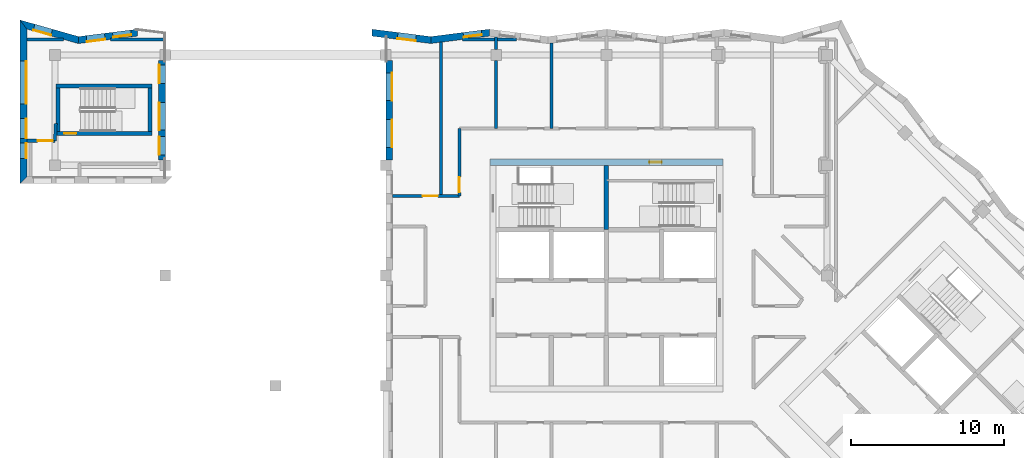
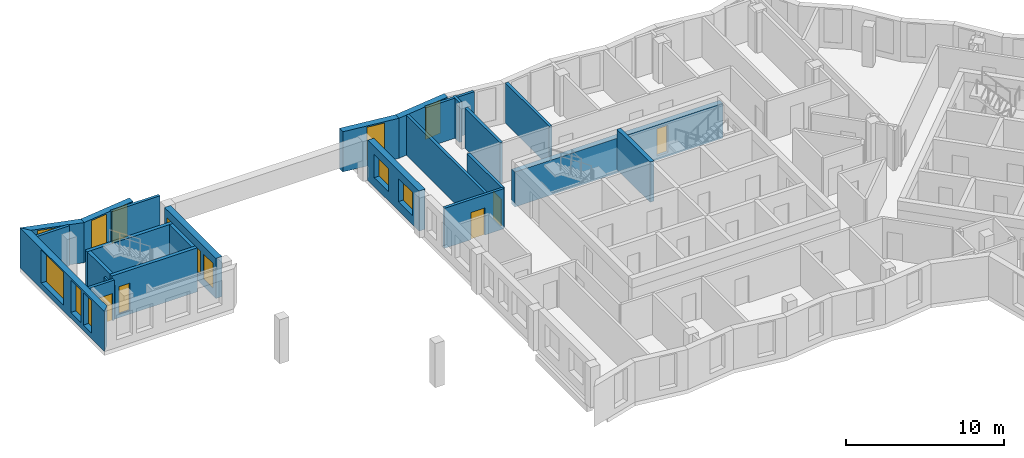
# One storey, part 5 of 13: 24 walls, 13 windows, 5 doors, 18 openings.
"""IFC4 building model written with IfcOpenShell, lengths in metres."""

from ifc_helpers import new_model, si_unit, direction, frame, frame_2d, origin, place, context, subcontext, project, spatial, polyline, rectangle, outline, extrude, material, layer, layer_set, type_object, element, fill, save


model = new_model("IFC4")

# Units and contexts
model_context = context("Model", 3, precision=1e-05, world=origin(), true_north=direction((0.0, 1.0)))
body_context = subcontext(model_context, "Body", "Model", "MODEL_VIEW")
ifc_project = project(units=[si_unit("LENGTHUNIT", "METRE"), si_unit("AREAUNIT", "SQUARE_METRE"), si_unit("VOLUMEUNIT", "CUBIC_METRE"), si_unit("PLANEANGLEUNIT", "RADIAN"), si_unit("MASSUNIT", "GRAM", prefix="KILO")], contexts=[model_context])

# Site, building, storey
site_placement = place(None, origin())
site = spatial("IfcSite", under=ifc_project, at=site_placement, CompositionType="ELEMENT")
building_placement = place(site_placement, origin())
building = spatial("IfcBuilding", under=site, at=building_placement, Name="Windrow Commons", CompositionType="ELEMENT")
storey_placement = place(building_placement, frame((0.0, 0.0, 264.2)))
storey = spatial("IfcBuildingStorey", under=building, at=storey_placement, Name="L72", CompositionType="ELEMENT", Elevation=264.2)

# Wall, opening, window
ifc_material_1 = material(Name="Brick masonry, red clay brick", Category="masonry")
ifc_layer_1 = layer(ifc_material_1, 0.45)
ifc_layer_set_1 = layer_set([ifc_layer_1], Name="Brick facade wall 450")
wall_type_1 = type_object("IfcWallType", Name="Brick facade wall 450", PredefinedType="SOLIDWALL", material=ifc_layer_set_1)
wall_1_placement = place(storey_placement, frame((57.1622, 73.4552, 0.0), z_axis=(0.0, 0.0, 1.0), x_axis=(-0.9921763319, -0.1248444087, 0.0)))
wall_1 = element("IfcWall", 1, at=wall_1_placement, inside=storey, type_object=wall_type_1, Name="Brick facade wall L72 23", PredefinedType="SOLIDWALL", context=body_context, shape_type="SweptSolid", body=[
    extrude(outline(polyline([(-0.0283, -0.225), (3.8324, -0.225), (3.889, 0.225), (0.0283, 0.225), (-0.0283, -0.225)])), origin(), (0.0, 0.0, 1.0), 3.1),
])
opening_1_placement = place(wall_1_placement, frame((0.5077, 0.0, 0.45)))
opening_1 = element("IfcOpeningElement", 2, at=opening_1_placement, cuts=wall_1, Name="Opening W7F", PredefinedType="OPENING", context=body_context, shape_type="SweptSolid", body=[
    extrude(rectangle(XDim=1.2, YDim=2.55, at=frame_2d((0.6, 1.275))), frame((0.0, 0.235, 0.0), z_axis=(0.0, -1.0, 0.0), x_axis=(1.0, 0.0, 0.0)), (0.0, 0.0, 1.0), 0.47),
])
ifc_material_2 = material(Name="Clear float glass in anodised aluminium frame", Category="aluminium")
window_type_1 = type_object("IfcWindowType", Name="Window W7 notch 1200x2550", PartitioningType="SINGLE_PANEL", PredefinedType="WINDOW", material=ifc_material_2)
window_1_placement = place(opening_1_placement, origin())
window_1 = element("IfcWindow", 3, at=window_1_placement, inside=storey, type_object=window_type_1, Name="Window L72 23.1", OverallHeight=2.55, OverallWidth=1.2, PartitioningType="SINGLE_PANEL", PredefinedType="WINDOW", context=body_context, shape_type="SweptSolid", body=[
    extrude(rectangle(XDim=1.2, YDim=2.55, at=frame_2d((0.6, 1.275))), frame((0.0, 0.105, 0.0), z_axis=(0.0, -1.0, 0.0), x_axis=(1.0, 0.0, 0.0)), (0.0, 0.0, 1.0), 0.06),
])
fill(opening_1, window_1)

wall_2_placement = place(storey_placement, frame((53.3316, 72.9732, 0.0), z_axis=(0.0, 0.0, 1.0), x_axis=(-0.9921759282, 0.1248476171, 0.0)))
wall_2 = element("IfcWall", 4, at=wall_2_placement, inside=storey, type_object=wall_type_1, Name="Brick facade wall L72 24", PredefinedType="SOLIDWALL", context=body_context, shape_type="SweptSolid", body=[
    extrude(outline(polyline([(0.0283, -0.225), (3.889, -0.225), (3.8324, 0.225), (-0.0283, 0.225), (0.0283, -0.225)])), origin(), (0.0, 0.0, 1.0), 3.1),
])
opening_2_placement = place(wall_2_placement, frame((0.9774, 0.0, 0.45)))
opening_2 = element("IfcOpeningElement", 5, at=opening_2_placement, cuts=wall_2, Name="Opening W7F", PredefinedType="OPENING", context=body_context, shape_type="SweptSolid", body=[
    extrude(rectangle(XDim=1.2, YDim=2.55, at=frame_2d((0.6, 1.275))), frame((0.0, 0.235, 0.0), z_axis=(0.0, -1.0, 0.0), x_axis=(1.0, 0.0, 0.0)), (0.0, 0.0, 1.0), 0.47),
])
window_2_placement = place(opening_2_placement, origin())
window_2 = element("IfcWindow", 6, at=window_2_placement, inside=storey, type_object=window_type_1, Name="Window L72 24.1", OverallHeight=2.55, OverallWidth=1.2, PartitioningType="SINGLE_PANEL", PredefinedType="WINDOW", context=body_context, shape_type="SweptSolid", body=[
    extrude(rectangle(XDim=1.2, YDim=2.55, at=frame_2d((0.6, 1.275))), frame((0.0, 0.205, 0.0), z_axis=(0.0, -1.0, 0.0), x_axis=(1.0, 0.0, 0.0)), (0.0, 0.0, 1.0), 0.06),
])
fill(opening_2, window_2)

# Wall, openings, windows
wall_3_placement = place(storey_placement, frame((34.179, 73.4552, 0.0), z_axis=(0.0, 0.0, 1.0), x_axis=(-0.9921779823, -0.1248312917, 0.0)))
wall_3 = element("IfcWall", 7, at=wall_3_placement, inside=storey, type_object=wall_type_1, Name="Brick facade wall L72 29", PredefinedType="SOLIDWALL", context=body_context, shape_type="SweptSolid", body=[
    extrude(outline(polyline([(-0.0283, -0.225), (3.8324, -0.225), (3.9237, 0.225), (0.0283, 0.225), (-0.0283, -0.225)])), origin(), (0.0, 0.0, 1.0), 3.1),
])
opening_3_placement = place(wall_3_placement, frame((0.4107, 0.0, 0.45)))
opening_3 = element("IfcOpeningElement", 8, at=opening_3_placement, cuts=wall_3, Name="Opening W7F", PredefinedType="OPENING", context=body_context, shape_type="SweptSolid", body=[
    extrude(rectangle(XDim=1.2, YDim=2.55, at=frame_2d((0.6, 1.275))), frame((0.0, 0.235, 0.0), z_axis=(0.0, -1.0, 0.0), x_axis=(1.0, 0.0, 0.0)), (0.0, 0.0, 1.0), 0.47),
])
opening_4_placement = place(wall_3_placement, frame((2.1356, 0.0, 0.45)))
opening_4 = element("IfcOpeningElement", 9, at=opening_4_placement, cuts=wall_3, Name="Opening W7F", PredefinedType="OPENING", context=body_context, shape_type="SweptSolid", body=[
    extrude(rectangle(XDim=1.2, YDim=2.55, at=frame_2d((0.6, 1.275))), frame((0.0, 0.235, 0.0), z_axis=(0.0, -1.0, 0.0), x_axis=(1.0, 0.0, 0.0)), (0.0, 0.0, 1.0), 0.47),
])
window_3_placement = place(opening_3_placement, origin())
window_3 = element("IfcWindow", 10, at=window_3_placement, inside=storey, type_object=window_type_1, Name="Window L72 29.1", OverallHeight=2.55, OverallWidth=1.2, PartitioningType="SINGLE_PANEL", PredefinedType="WINDOW", context=body_context, shape_type="SweptSolid", body=[
    extrude(rectangle(XDim=1.2, YDim=2.55, at=frame_2d((0.6, 1.275))), frame((0.0, 0.125, 0.0), z_axis=(0.0, -1.0, 0.0), x_axis=(1.0, 0.0, 0.0)), (0.0, 0.0, 1.0), 0.06),
])
fill(opening_3, window_3)
window_4_placement = place(opening_4_placement, origin())
window_4 = element("IfcWindow", 11, at=window_4_placement, inside=storey, type_object=window_type_1, Name="Window L72 29.2", OverallHeight=2.55, OverallWidth=1.2, PartitioningType="SINGLE_PANEL", PredefinedType="WINDOW", context=body_context, shape_type="SweptSolid", body=[
    extrude(rectangle(XDim=1.2, YDim=2.55, at=frame_2d((0.6, 1.275))), frame((0.0, 0.205, 0.0), z_axis=(0.0, -1.0, 0.0), x_axis=(1.0, 0.0, 0.0)), (0.0, 0.0, 1.0), 0.06),
])
fill(opening_4, window_4)

# Wall, opening, window
wall_4_placement = place(storey_placement, frame((30.3313, 72.9711, 0.0), z_axis=(0.0, 0.0, 1.0), x_axis=(-0.9623504365, 0.2718117681, 0.0)))
wall_4 = element("IfcWall", 12, at=wall_4_placement, inside=storey, type_object=wall_type_1, Name="Brick facade wall L72 30", PredefinedType="SOLIDWALL", context=body_context, shape_type="SweptSolid", body=[
    extrude(outline(polyline([(0.0457, -0.225), (4.0261, -0.225), (3.4313, 0.225), (-0.0457, 0.225), (0.0457, -0.225)])), origin(), (0.0, 0.0, 1.0), 3.1),
])
opening_5_placement = place(wall_4_placement, frame((1.8113, 0.0, 0.45)))
opening_5 = element("IfcOpeningElement", 13, at=opening_5_placement, cuts=wall_4, Name="Opening W7F", PredefinedType="OPENING", context=body_context, shape_type="SweptSolid", body=[
    extrude(rectangle(XDim=1.2, YDim=2.55, at=frame_2d((0.6, 1.275))), frame((0.0, 0.235, 0.0), z_axis=(0.0, -1.0, 0.0), x_axis=(1.0, 0.0, 0.0)), (0.0, 0.0, 1.0), 0.47),
])
window_5_placement = place(opening_5_placement, origin())
window_5 = element("IfcWindow", 14, at=window_5_placement, inside=storey, type_object=window_type_1, Name="Window L72 30.1", OverallHeight=2.55, OverallWidth=1.2, PartitioningType="SINGLE_PANEL", PredefinedType="WINDOW", context=body_context, shape_type="SweptSolid", body=[
    extrude(rectangle(XDim=1.2, YDim=2.55, at=frame_2d((0.6, 1.275))), frame((0.0, 0.205, 0.0), z_axis=(0.0, -1.0, 0.0), x_axis=(1.0, 0.0, 0.0)), (0.0, 0.0, 1.0), 0.06),
])
fill(opening_5, window_5)

# Wall, openings, windows
wall_5_placement = place(storey_placement, frame((26.743, 73.9846, 0.0), z_axis=(0.0, 0.0, 1.0), x_axis=(0.0, -1.0, 0.0)))
wall_5 = element("IfcWall", 15, at=wall_5_placement, inside=storey, type_object=wall_type_1, Name="Brick facade wall L72 31", PredefinedType="SOLIDWALL", context=body_context, shape_type="SweptSolid", body=[
    extrude(outline(polyline([(-0.2974, -0.225), (10.3846, -0.225), (9.9346, 0.225), (0.2974, 0.225), (-0.2974, -0.225)])), origin(), (0.0, 0.0, 1.0), 3.1),
])
opening_6_placement = place(wall_5_placement, frame((2.3846, 0.0, 0.45)))
opening_6 = element("IfcOpeningElement", 16, at=opening_6_placement, cuts=wall_5, Name="Opening W1V", PredefinedType="OPENING", context=body_context, shape_type="SweptSolid", body=[
    extrude(rectangle(XDim=2.8, YDim=2.55, at=frame_2d((1.4, 1.275))), frame((0.0, 0.235, 0.0), z_axis=(0.0, -1.0, 0.0), x_axis=(1.0, 0.0, 0.0)), (0.0, 0.0, 1.0), 0.47),
])
opening_7_placement = place(wall_5_placement, frame((6.1346, 0.0, 0.45)))
opening_7 = element("IfcOpeningElement", 17, at=opening_7_placement, cuts=wall_5, Name="Opening W1Q", PredefinedType="OPENING", context=body_context, shape_type="SweptSolid", body=[
    extrude(rectangle(XDim=1.3, YDim=2.5, at=frame_2d((0.65, 1.25))), frame((0.0, 0.235, 0.0), z_axis=(0.0, -1.0, 0.0), x_axis=(1.0, 0.0, 0.0)), (0.0, 0.0, 1.0), 0.47),
])
opening_8_placement = place(wall_5_placement, frame((7.7346, 0.0, 0.45)))
opening_8 = element("IfcOpeningElement", 18, at=opening_8_placement, cuts=wall_5, Name="Opening W1S", PredefinedType="OPENING", context=body_context, shape_type="SweptSolid", body=[
    extrude(rectangle(XDim=1.0, YDim=2.5, at=frame_2d((0.5, 1.25))), frame((0.0, 0.235, 0.0), z_axis=(0.0, -1.0, 0.0), x_axis=(1.0, 0.0, 0.0)), (0.0, 0.0, 1.0), 0.47),
])
ifc_material_3 = material(Name="Clear float glass in anodised aluminium frame", Category="aluminium")
window_type_2 = type_object("IfcWindowType", Name="Window W1Q pair 1300x2500", PartitioningType="SINGLE_PANEL", PredefinedType="WINDOW", material=ifc_material_3)
window_6_placement = place(opening_7_placement, origin())
window_6 = element("IfcWindow", 19, at=window_6_placement, inside=storey, type_object=window_type_2, Name="Window L72 31.2A", OverallHeight=2.5, OverallWidth=1.3, PartitioningType="SINGLE_PANEL", PredefinedType="WINDOW", context=body_context, shape_type="SweptSolid", body=[
    extrude(rectangle(XDim=1.3, YDim=2.5, at=frame_2d((0.65, 1.25))), frame((0.0, 0.205, 0.0), z_axis=(0.0, -1.0, 0.0), x_axis=(1.0, 0.0, 0.0)), (0.0, 0.0, 1.0), 0.06),
])
fill(opening_7, window_6)
ifc_material_4 = material(Name="Clear float glass in anodised aluminium frame", Category="aluminium")
window_type_3 = type_object("IfcWindowType", Name="Window W1S slit 1000x2500", PartitioningType="SINGLE_PANEL", PredefinedType="WINDOW", material=ifc_material_4)
window_7_placement = place(opening_8_placement, origin())
window_7 = element("IfcWindow", 20, at=window_7_placement, inside=storey, type_object=window_type_3, Name="Window L72 31.2B", OverallHeight=2.5, OverallWidth=1.0, PartitioningType="SINGLE_PANEL", PredefinedType="WINDOW", context=body_context, shape_type="SweptSolid", body=[
    extrude(rectangle(XDim=1.0, YDim=2.5, at=frame_2d((0.5, 1.25))), frame((0.0, 0.205, 0.0), z_axis=(0.0, -1.0, 0.0), x_axis=(1.0, 0.0, 0.0)), (0.0, 0.0, 1.0), 0.06),
])
fill(opening_8, window_7)
ifc_material_5 = material(Name="Clear float glass in anodised aluminium frame", Category="aluminium")
window_type_4 = type_object("IfcWindowType", Name="Window W1V bedroom 2800x2550", PartitioningType="SINGLE_PANEL", PredefinedType="WINDOW", material=ifc_material_5)
window_8_placement = place(opening_6_placement, origin())
window_8 = element("IfcWindow", 21, at=window_8_placement, inside=storey, type_object=window_type_4, Name="Window L72 31.1", OverallHeight=2.55, OverallWidth=2.8, PartitioningType="SINGLE_PANEL", PredefinedType="WINDOW", context=body_context, shape_type="SweptSolid", body=[
    extrude(rectangle(XDim=2.8, YDim=2.55, at=frame_2d((1.4, 1.275))), frame((0.0, 0.205, 0.0), z_axis=(0.0, -1.0, 0.0), x_axis=(1.0, 0.0, 0.0)), (0.0, 0.0, 1.0), 0.06),
])
fill(opening_6, window_8)

wall_6_placement = place(storey_placement, frame((35.775, 65.15, 0.0), z_axis=(0.0, 0.0, 1.0), x_axis=(0.0, 1.0, 0.0)))
wall_6 = element("IfcWall", 22, at=wall_6_placement, inside=storey, type_object=wall_type_1, Name="Brick portal return L72 6", PredefinedType="SOLIDWALL", context=body_context, shape_type="SweptSolid", body=[
    extrude(rectangle(XDim=6.5, YDim=0.45, at=frame_2d((3.25, 0.0))), origin(), (0.0, 0.0, 1.0), 3.1),
])
opening_9_placement = place(wall_6_placement, frame((0.325, 0.0, 0.6)))
opening_9 = element("IfcOpeningElement", 23, at=opening_9_placement, cuts=wall_6, Name="Opening W7G", PredefinedType="OPENING", context=body_context, shape_type="SweptSolid", body=[
    extrude(rectangle(XDim=1.2, YDim=1.9, at=frame_2d((0.6, 0.95))), frame((0.0, 0.235, 0.0), z_axis=(0.0, -1.0, 0.0), x_axis=(1.0, 0.0, 0.0)), (0.0, 0.0, 1.0), 0.47),
])
opening_10_placement = place(wall_6_placement, frame((1.9375, 0.0, 0.7)))
opening_10 = element("IfcOpeningElement", 24, at=opening_10_placement, cuts=wall_6, Name="Opening W8", PredefinedType="OPENING", context=body_context, shape_type="SweptSolid", body=[
    extrude(rectangle(XDim=1.8, YDim=1.8, at=frame_2d((0.9, 0.9))), frame((0.0, 0.235, 0.0), z_axis=(0.0, -1.0, 0.0), x_axis=(1.0, 0.0, 0.0)), (0.0, 0.0, 1.0), 0.47),
])
opening_11_placement = place(wall_6_placement, frame((5.0, 0.0, 0.6)))
opening_11 = element("IfcOpeningElement", 25, at=opening_11_placement, cuts=wall_6, Name="Opening W7G", PredefinedType="OPENING", context=body_context, shape_type="SweptSolid", body=[
    extrude(rectangle(XDim=1.2, YDim=1.9, at=frame_2d((0.6, 0.95))), frame((0.0, 0.235, 0.0), z_axis=(0.0, -1.0, 0.0), x_axis=(1.0, 0.0, 0.0)), (0.0, 0.0, 1.0), 0.47),
])
ifc_material_6 = material(Name="Clear float glass in anodised aluminium frame", Category="aluminium")
window_type_5 = type_object("IfcWindowType", Name="Window W7 notch 1200x1900", PartitioningType="SINGLE_PANEL", PredefinedType="WINDOW", material=ifc_material_6)
window_9_placement = place(opening_9_placement, origin())
window_9 = element("IfcWindow", 26, at=window_9_placement, inside=storey, type_object=window_type_5, Name="Window L72 portal 6.1.1A", OverallHeight=1.9, OverallWidth=1.2, PartitioningType="SINGLE_PANEL", PredefinedType="WINDOW", context=body_context, shape_type="SweptSolid", body=[
    extrude(rectangle(XDim=1.2, YDim=1.9, at=frame_2d((0.6, 0.95))), frame((0.0, 0.205, 0.0), z_axis=(0.0, -1.0, 0.0), x_axis=(1.0, 0.0, 0.0)), (0.0, 0.0, 1.0), 0.06),
])
fill(opening_9, window_9)
window_10_placement = place(opening_11_placement, origin())
window_10 = element("IfcWindow", 27, at=window_10_placement, inside=storey, type_object=window_type_5, Name="Window L72 portal 6.1.2A", OverallHeight=1.9, OverallWidth=1.2, PartitioningType="SINGLE_PANEL", PredefinedType="WINDOW", context=body_context, shape_type="SweptSolid", body=[
    extrude(rectangle(XDim=1.2, YDim=1.9, at=frame_2d((0.6, 0.95))), frame((0.0, 0.205, 0.0), z_axis=(0.0, -1.0, 0.0), x_axis=(1.0, 0.0, 0.0)), (0.0, 0.0, 1.0), 0.06),
])
fill(opening_11, window_10)
ifc_material_7 = material(Name="Clear float glass in anodised aluminium frame", Category="aluminium")
window_type_6 = type_object("IfcWindowType", Name="Window W8 portal 1800x1800", PartitioningType="SINGLE_PANEL", PredefinedType="WINDOW", material=ifc_material_7)
window_11_placement = place(opening_10_placement, origin())
window_11 = element("IfcWindow", 28, at=window_11_placement, inside=storey, type_object=window_type_6, Name="Window L72 portal 6.1.1B", OverallHeight=1.8, OverallWidth=1.8, PartitioningType="SINGLE_PANEL", PredefinedType="WINDOW", context=body_context, shape_type="SweptSolid", body=[
    extrude(rectangle(XDim=1.8, YDim=1.8, at=frame_2d((0.9, 0.9))), frame((0.0, 0.205, 0.0), z_axis=(0.0, -1.0, 0.0), x_axis=(1.0, 0.0, 0.0)), (0.0, 0.0, 1.0), 0.06),
])
fill(opening_10, window_11)

wall_7_placement = place(storey_placement, frame((50.625, 71.65, 0.0), z_axis=(0.0, 0.0, 1.0), x_axis=(0.0, -1.0, 0.0)))
wall_7 = element("IfcWall", 29, at=wall_7_placement, inside=storey, type_object=wall_type_1, Name="Brick portal return L72 12", PredefinedType="SOLIDWALL", context=body_context, shape_type="SweptSolid", body=[
    extrude(rectangle(XDim=6.5, YDim=0.45, at=frame_2d((3.25, 0.0))), origin(), (0.0, 0.0, 1.0), 3.1),
])
opening_12_placement = place(wall_7_placement, frame((0.825, 0.0, 0.7)))
opening_12 = element("IfcOpeningElement", 30, at=opening_12_placement, cuts=wall_7, Name="Opening W8", PredefinedType="OPENING", context=body_context, shape_type="SweptSolid", body=[
    extrude(rectangle(XDim=1.8, YDim=1.8, at=frame_2d((0.9, 0.9))), frame((0.0, 0.235, 0.0), z_axis=(0.0, -1.0, 0.0), x_axis=(1.0, 0.0, 0.0)), (0.0, 0.0, 1.0), 0.47),
])
opening_13_placement = place(wall_7_placement, frame((3.875, 0.0, 0.7)))
opening_13 = element("IfcOpeningElement", 31, at=opening_13_placement, cuts=wall_7, Name="Opening W8", PredefinedType="OPENING", context=body_context, shape_type="SweptSolid", body=[
    extrude(rectangle(XDim=1.8, YDim=1.8, at=frame_2d((0.9, 0.9))), frame((0.0, 0.235, 0.0), z_axis=(0.0, -1.0, 0.0), x_axis=(1.0, 0.0, 0.0)), (0.0, 0.0, 1.0), 0.47),
])
window_12_placement = place(opening_12_placement, origin())
window_12 = element("IfcWindow", 32, at=window_12_placement, inside=storey, type_object=window_type_6, Name="Window L72 portal 12.1.1", OverallHeight=1.8, OverallWidth=1.8, PartitioningType="SINGLE_PANEL", PredefinedType="WINDOW", context=body_context, shape_type="SweptSolid", body=[
    extrude(rectangle(XDim=1.8, YDim=1.8, at=frame_2d((0.9, 0.9))), frame((0.0, 0.205, 0.0), z_axis=(0.0, -1.0, 0.0), x_axis=(1.0, 0.0, 0.0)), (0.0, 0.0, 1.0), 0.06),
])
fill(opening_12, window_12)
window_13_placement = place(opening_13_placement, origin())
window_13 = element("IfcWindow", 33, at=window_13_placement, inside=storey, type_object=window_type_6, Name="Window L72 portal 12.1.2", OverallHeight=1.8, OverallWidth=1.8, PartitioningType="SINGLE_PANEL", PredefinedType="WINDOW", context=body_context, shape_type="SweptSolid", body=[
    extrude(rectangle(XDim=1.8, YDim=1.8, at=frame_2d((0.9, 0.9))), frame((0.0, 0.205, 0.0), z_axis=(0.0, -1.0, 0.0), x_axis=(1.0, 0.0, 0.0)), (0.0, 0.0, 1.0), 0.06),
])
fill(opening_13, window_13)

# Wall, opening, door
ifc_material_8 = material(Name="Blockwork partition", Category="masonry")
ifc_layer_2 = layer(ifc_material_8, 0.2)
ifc_layer_set_2 = layer_set([ifc_layer_2], Name="IW-CORRIDOR-200")
wall_type_2 = type_object("IfcWallType", Name="IW-CORRIDOR-200", PredefinedType="PARTITIONING", material=ifc_layer_set_2)
wall_8_placement = place(storey_placement, frame((55.2, 62.802, 0.0), z_axis=(0.0, 0.0, 1.0), x_axis=(0.0, 1.0, 0.0)))
wall_8 = element("IfcWall", 34, at=wall_8_placement, inside=storey, type_object=wall_type_2, Name="W-L72-W033", PredefinedType="PARTITIONING", context=body_context, shape_type="SweptSolid", body=[
    extrude(rectangle(XDim=4.398, YDim=0.2, at=frame_2d((2.199, 0.0))), origin(), (0.0, 0.0, 1.0), 3.1),
])
opening_14_placement = place(wall_8_placement, frame((0.2266, 0.0, 0.0)))
opening_14 = element("IfcOpeningElement", 35, at=opening_14_placement, cuts=wall_8, Name="Opening D310F", PredefinedType="OPENING", context=body_context, shape_type="SweptSolid", body=[
    extrude(rectangle(XDim=1.0, YDim=2.1, at=frame_2d((0.5, 1.05))), frame((0.0, 0.11, 0.0), z_axis=(0.0, -1.0, 0.0), x_axis=(1.0, 0.0, 0.0)), (0.0, 0.0, 1.0), 0.22),
])
ifc_material_9 = material(Name="Timber door leaf", Category="wood")
door_type_1 = type_object("IfcDoorType", Name="DT-AMENITY-1000", OperationType="SINGLE_SWING_LEFT", PredefinedType="DOOR", material=ifc_material_9)
door_1_placement = place(opening_14_placement, origin())
door_1 = element("IfcDoor", 36, at=door_1_placement, inside=storey, type_object=door_type_1, Name="D-L72-D010", OperationType="SINGLE_SWING_LEFT", OverallHeight=2.1, OverallWidth=1.0, PredefinedType="DOOR", context=body_context, shape_type="SweptSolid", body=[
    extrude(rectangle(XDim=1.0, YDim=2.1, at=frame_2d((0.5, 1.05))), frame((0.0, 0.025, 0.0), z_axis=(0.0, -1.0, 0.0), x_axis=(1.0, 0.0, 0.0)), (0.0, 0.0, 1.0), 0.05),
])
fill(opening_14, door_1)

wall_9_placement = place(storey_placement, frame((50.85, 62.8, 0.0), z_axis=(0.0, 0.0, 1.0), x_axis=(1.0, 0.0, 0.0)))
wall_9 = element("IfcWall", 37, at=wall_9_placement, inside=storey, type_object=wall_type_2, Name="W-L72-W037", PredefinedType="PARTITIONING", context=body_context, shape_type="SweptSolid", body=[
    extrude(rectangle(XDim=4.35, YDim=0.2, at=frame_2d((2.175, 0.0))), origin(), (0.0, 0.0, 1.0), 3.1),
])
opening_15_placement = place(wall_9_placement, frame((1.9457, 0.0, 0.0)))
opening_15 = element("IfcOpeningElement", 38, at=opening_15_placement, cuts=wall_9, Name="Opening D310F", PredefinedType="OPENING", context=body_context, shape_type="SweptSolid", body=[
    extrude(rectangle(XDim=1.0, YDim=2.1, at=frame_2d((0.5, 1.05))), frame((0.0, 0.11, 0.0), z_axis=(0.0, -1.0, 0.0), x_axis=(1.0, 0.0, 0.0)), (0.0, 0.0, 1.0), 0.22),
])
door_2_placement = place(opening_15_placement, origin())
door_2 = element("IfcDoor", 39, at=door_2_placement, inside=storey, type_object=door_type_1, Name="D-L72-D009", OperationType="SINGLE_SWING_RIGHT", OverallHeight=2.1, OverallWidth=1.0, PredefinedType="DOOR", context=body_context, shape_type="SweptSolid", body=[
    extrude(rectangle(XDim=1.0, YDim=2.1, at=frame_2d((0.5, 1.05))), frame((0.0, 0.025, 0.0), z_axis=(0.0, -1.0, 0.0), x_axis=(1.0, 0.0, 0.0)), (0.0, 0.0, 1.0), 0.05),
])
fill(opening_15, door_2)

wall_10_placement = place(storey_placement, frame((26.968, 66.4, 0.0), z_axis=(0.0, 0.0, 1.0), x_axis=(1.0, 0.0, 0.0)))
wall_10 = element("IfcWall", 40, at=wall_10_placement, inside=storey, type_object=wall_type_2, Name="W-L72-W068", PredefinedType="PARTITIONING", context=body_context, shape_type="SweptSolid", body=[
    extrude(rectangle(XDim=1.832, YDim=0.2, at=frame_2d((0.916, 0.0))), origin(), (0.0, 0.0, 1.0), 3.1),
])
opening_16_placement = place(wall_10_placement, frame((0.7028, 0.0, 0.0)))
opening_16 = element("IfcOpeningElement", 41, at=opening_16_placement, cuts=wall_10, Name="Opening D310F", PredefinedType="OPENING", context=body_context, shape_type="SweptSolid", body=[
    extrude(rectangle(XDim=1.0, YDim=2.1, at=frame_2d((0.5, 1.05))), frame((0.0, 0.11, 0.0), z_axis=(0.0, -1.0, 0.0), x_axis=(1.0, 0.0, 0.0)), (0.0, 0.0, 1.0), 0.22),
])
door_3_placement = place(opening_16_placement, origin())
door_3 = element("IfcDoor", 42, at=door_3_placement, inside=storey, type_object=door_type_1, Name="D-L72-D018", OperationType="SINGLE_SWING_LEFT", OverallHeight=2.1, OverallWidth=1.0, PredefinedType="DOOR", context=body_context, shape_type="SweptSolid", body=[
    extrude(rectangle(XDim=1.0, YDim=2.1, at=frame_2d((0.5, 1.05))), frame((0.0, 0.025, 0.0), z_axis=(0.0, -1.0, 0.0), x_axis=(1.0, 0.0, 0.0)), (0.0, 0.0, 1.0), 0.05),
])
fill(opening_16, door_3)

# Walls
wall_11_placement = place(storey_placement, frame((28.855, 67.53, 0.0), z_axis=(0.0, 0.0, 1.0), x_axis=(-0.0486150155, -0.9988175911, 0.0)))
element("IfcWall", 43, at=wall_11_placement, inside=storey, type_object=wall_type_2, Name="W-L72-W113", PredefinedType="PARTITIONING", context=body_context, shape_type="SweptSolid", body=[
    extrude(rectangle(XDim=1.1313, YDim=0.2, at=frame_2d((0.5656, 0.0))), origin(), (0.0, 0.0, 1.0), 2.6),
])
ifc_material_10 = material(Name="Blockwork partition", Category="masonry")
ifc_layer_3 = layer(ifc_material_10, 0.2)
ifc_layer_set_3 = layer_set([ifc_layer_3], Name="IW-PARTY-200")
wall_type_3 = type_object("IfcWallType", Name="IW-PARTY-200", PredefinedType="PARTITIONING", material=ifc_layer_set_3)
wall_12_placement = place(storey_placement, frame((54.0, 62.8, 0.0), z_axis=(0.0, 0.0, 1.0), x_axis=(0.0, 1.0, 0.0)))
element("IfcWall", 44, at=wall_12_placement, inside=storey, type_object=wall_type_3, Name="W-L72-W006", PredefinedType="PARTITIONING", context=body_context, shape_type="SweptSolid", body=[
    extrude(rectangle(XDim=10.0306, YDim=0.2, at=frame_2d((5.0153, 0.0))), origin(), (0.0, 0.0, 1.0), 3.1),
])
wall_13_placement = place(storey_placement, frame((61.2, 67.2, 0.0), z_axis=(0.0, 0.0, 1.0), x_axis=(0.0, 1.0, 0.0)))
element("IfcWall", 45, at=wall_13_placement, inside=storey, type_object=wall_type_3, Name="W-L72-W019", PredefinedType="PARTITIONING", context=body_context, shape_type="SweptSolid", body=[
    extrude(rectangle(XDim=5.5725, YDim=0.2, at=frame_2d((2.7862, 0.0))), origin(), (0.0, 0.0, 1.0), 3.1),
])
wall_14_placement = place(storey_placement, frame((57.6, 67.2, 0.0), z_axis=(0.0, 0.0, 1.0), x_axis=(0.0, 1.0, 0.0)))
element("IfcWall", 46, at=wall_14_placement, inside=storey, type_object=wall_type_3, Name="W-L72-W030", PredefinedType="PARTITIONING", context=body_context, shape_type="SweptSolid", body=[
    extrude(rectangle(XDim=4.45, YDim=0.2, at=frame_2d((2.225, 0.0))), origin(), (0.0, 0.0, 1.0), 3.1),
])
for number, where, z_axis, x_axis, name in (
    (47, (32.4135, 73.0, 0.0), (0.0, 0.0, 1.0), (1.0, 0.0, 0.0), "W-L72-W043"),
    (48, (55.3966, 73.0, 0.0), (0.0, 0.0, 1.0), (1.0, 0.0, 0.0), "W-L72-W044"),
):
    element("IfcWall", number, at=place(storey_placement, frame(where, z_axis=z_axis, x_axis=x_axis)), inside=storey, type_object=wall_type_3, Name=name, PredefinedType="PARTITIONING", context=body_context, shape_type="SweptSolid", body=[
        extrude(rectangle(XDim=3.5311, YDim=0.2, at=frame_2d((1.7655, 0.0))), origin(), (0.0, 0.0, 1.0), 3.1),
    ])
wall_15_placement = place(storey_placement, frame((26.968, 73.0, 0.0), z_axis=(0.0, 0.0, 1.0), x_axis=(1.0, 0.0, 0.0)))
element("IfcWall", 49, at=wall_15_placement, inside=storey, type_object=wall_type_3, Name="W-L72-W058", PredefinedType="PARTITIONING", context=body_context, shape_type="SweptSolid", body=[
    extrude(rectangle(XDim=2.3831, YDim=0.2, at=frame_2d((1.1916, 0.0))), origin(), (0.0, 0.0, 1.0), 3.1),
])
wall_16_placement = place(storey_placement, frame((57.6, 72.35, 0.0), z_axis=(0.0, 0.0, 1.0), x_axis=(0.0, 1.0, 0.0)))
element("IfcWall", 50, at=wall_16_placement, inside=storey, type_object=wall_type_3, Name="W-L72-W088", PredefinedType="PARTITIONING", context=body_context, shape_type="SweptSolid", body=[
    extrude(rectangle(XDim=0.8234, YDim=0.2, at=frame_2d((0.4117, 0.0))), origin(), (0.0, 0.0, 1.0), 3.1),
])

# Wall, opening, door
ifc_material_11 = material(Name="Concrete C40/50", Category="concrete")
ifc_layer_4 = layer(ifc_material_11, 0.4)
ifc_layer_set_4 = layer_set([ifc_layer_4], Name="RC CORE WALL 400 C40/50")
wall_type_4 = type_object("IfcWallType", Name="RC CORE WALL 400 C40/50", PredefinedType="SHEAR", material=ifc_layer_set_4)
wall_17_placement = place(storey_placement, frame((57.2, 65.0, -0.3), z_axis=(0.0, 0.0, 1.0), x_axis=(1.0, 0.0, 0.0)))
wall_17 = element("IfcWall", 51, at=wall_17_placement, inside=storey, type_object=wall_type_4, Name="Core A wall outer-N", PredefinedType="SHEAR", context=body_context, shape_type="SweptSolid", body=[
    extrude(rectangle(XDim=15.2, YDim=0.4, at=frame_2d((7.6, 0.0))), origin(), (0.0, 0.0, 1.0), 2.7),
])
opening_17_placement = place(wall_17_placement, frame((10.4, 0.0, 0.3)))
opening_17 = element("IfcOpeningElement", 52, at=opening_17_placement, cuts=wall_17, Name="Opening D9", PredefinedType="OPENING", context=body_context, shape_type="SweptSolid", body=[
    extrude(rectangle(XDim=0.8, YDim=2.1, at=frame_2d((0.4, 1.05))), frame((0.0, 0.21, 0.0), z_axis=(0.0, -1.0, 0.0), x_axis=(1.0, 0.0, 0.0)), (0.0, 0.0, 1.0), 0.42),
])
ifc_material_12 = material(Name="Steel fire door leaf", Category="steel")
door_type_2 = type_object("IfcDoorType", Name="Riser access door 800", OperationType="SINGLE_SWING_LEFT", PredefinedType="DOOR", material=ifc_material_12)
door_4_placement = place(opening_17_placement, origin())
door_4 = element("IfcDoor", 53, at=door_4_placement, inside=storey, type_object=door_type_2, Name="Riser access door", OperationType="SINGLE_SWING_RIGHT", OverallHeight=2.1, OverallWidth=0.8, PredefinedType="DOOR", context=body_context, shape_type="SweptSolid", body=[
    extrude(rectangle(XDim=0.8, YDim=2.1, at=frame_2d((0.4, 1.05))), frame((0.0, 0.025, 0.0), z_axis=(0.0, -1.0, 0.0), x_axis=(1.0, 0.0, 0.0)), (0.0, 0.0, 1.0), 0.05),
])
fill(opening_17, door_4)

ifc_material_13 = material(Name="Concrete C40/50", Category="concrete")
ifc_layer_5 = layer(ifc_material_13, 0.25)
ifc_layer_set_5 = layer_set([ifc_layer_5], Name="RC SHAFT WALL 250 C40/50")
wall_type_5 = type_object("IfcWallType", Name="RC SHAFT WALL 250 C40/50", PredefinedType="SOLIDWALL", material=ifc_layer_set_5)
wall_18_placement = place(storey_placement, frame((28.875, 66.875, -0.3), z_axis=(0.0, 0.0, 1.0), x_axis=(1.0, 0.0, 0.0)))
wall_18 = element("IfcWall", 54, at=wall_18_placement, inside=storey, type_object=wall_type_5, Name="Stair enclosure wall L72 S", PredefinedType="SOLIDWALL", context=body_context, shape_type="SweptSolid", body=[
    extrude(rectangle(XDim=6.25, YDim=0.25, at=frame_2d((3.125, 0.0))), origin(), (0.0, 0.0, 1.0), 3.4),
])
opening_18_placement = place(wall_18_placement, frame((0.525, 0.0, 0.3)))
opening_18 = element("IfcOpeningElement", 55, at=opening_18_placement, cuts=wall_18, Name="Opening D23", PredefinedType="OPENING", context=body_context, shape_type="SweptSolid", body=[
    extrude(rectangle(XDim=0.8, YDim=2.1, at=frame_2d((0.4, 1.05))), frame((0.0, 0.135, 0.0), z_axis=(0.0, -1.0, 0.0), x_axis=(1.0, 0.0, 0.0)), (0.0, 0.0, 1.0), 0.27),
])
ifc_material_14 = material(Name="Steel fire door leaf", Category="steel")
door_type_3 = type_object("IfcDoorType", Name="Stair door 800", OperationType="SINGLE_SWING_LEFT", PredefinedType="DOOR", material=ifc_material_14)
door_5_placement = place(opening_18_placement, origin())
door_5 = element("IfcDoor", 56, at=door_5_placement, inside=storey, type_object=door_type_3, Name="Stair door", OperationType="SINGLE_SWING_LEFT", OverallHeight=2.1, OverallWidth=0.8, PredefinedType="DOOR", context=body_context, shape_type="SweptSolid", body=[
    extrude(rectangle(XDim=0.8, YDim=2.1, at=frame_2d((0.4, 1.05))), frame((0.0, 0.025, 0.0), z_axis=(0.0, -1.0, 0.0), x_axis=(1.0, 0.0, 0.0)), (0.0, 0.0, 1.0), 0.05),
])
fill(opening_18, door_5)

# Walls
wall_19_placement = place(storey_placement, frame((28.875, 69.975, -0.3), z_axis=(0.0, 0.0, 1.0), x_axis=(1.0, 0.0, 0.0)))
element("IfcWall", 57, at=wall_19_placement, inside=storey, type_object=wall_type_5, Name="Stair enclosure wall L72 N", PredefinedType="SOLIDWALL", context=body_context, shape_type="SweptSolid", body=[
    extrude(rectangle(XDim=6.25, YDim=0.25, at=frame_2d((3.125, 0.0))), origin(), (0.0, 0.0, 1.0), 3.4),
])
for number, where, z_axis, x_axis, name in (
    (58, (29.0, 67.0, -0.3), (0.0, 0.0, 1.0), (0.0, 1.0, 0.0), "Stair enclosure wall L72 W"),
    (59, (35.0, 67.0, -0.3), (0.0, 0.0, 1.0), (0.0, 1.0, 0.0), "Stair enclosure wall L72 E"),
):
    element("IfcWall", number, at=place(storey_placement, frame(where, z_axis=z_axis, x_axis=x_axis)), inside=storey, type_object=wall_type_5, Name=name, PredefinedType="SOLIDWALL", context=body_context, shape_type="SweptSolid", body=[
        extrude(rectangle(XDim=2.85, YDim=0.25, at=frame_2d((1.425, 0.0))), origin(), (0.0, 0.0, 1.0), 3.4),
    ])
ifc_material_15 = material(Name="Concrete C40/50", Category="concrete")
ifc_layer_6 = layer(ifc_material_15, 0.3)
ifc_layer_set_6 = layer_set([ifc_layer_6], Name="RC SHAFT WALL 300 C40/50")
wall_type_6 = type_object("IfcWallType", Name="RC SHAFT WALL 300 C40/50", PredefinedType="SOLIDWALL", material=ifc_layer_set_6)
wall_20_placement = place(storey_placement, frame((64.8, 60.6, 0.0), z_axis=(0.0, 0.0, 1.0), x_axis=(0.0, 1.0, 0.0)))
element("IfcWall", 60, at=wall_20_placement, inside=storey, type_object=wall_type_6, Name="Core A wall stair-mid", PredefinedType="SOLIDWALL", context=body_context, shape_type="SweptSolid", body=[
    extrude(rectangle(XDim=4.2, YDim=0.3, at=frame_2d((2.1, 0.0))), origin(), (0.0, 0.0, 1.0), 3.1),
])

save(model, "model.ifc")
